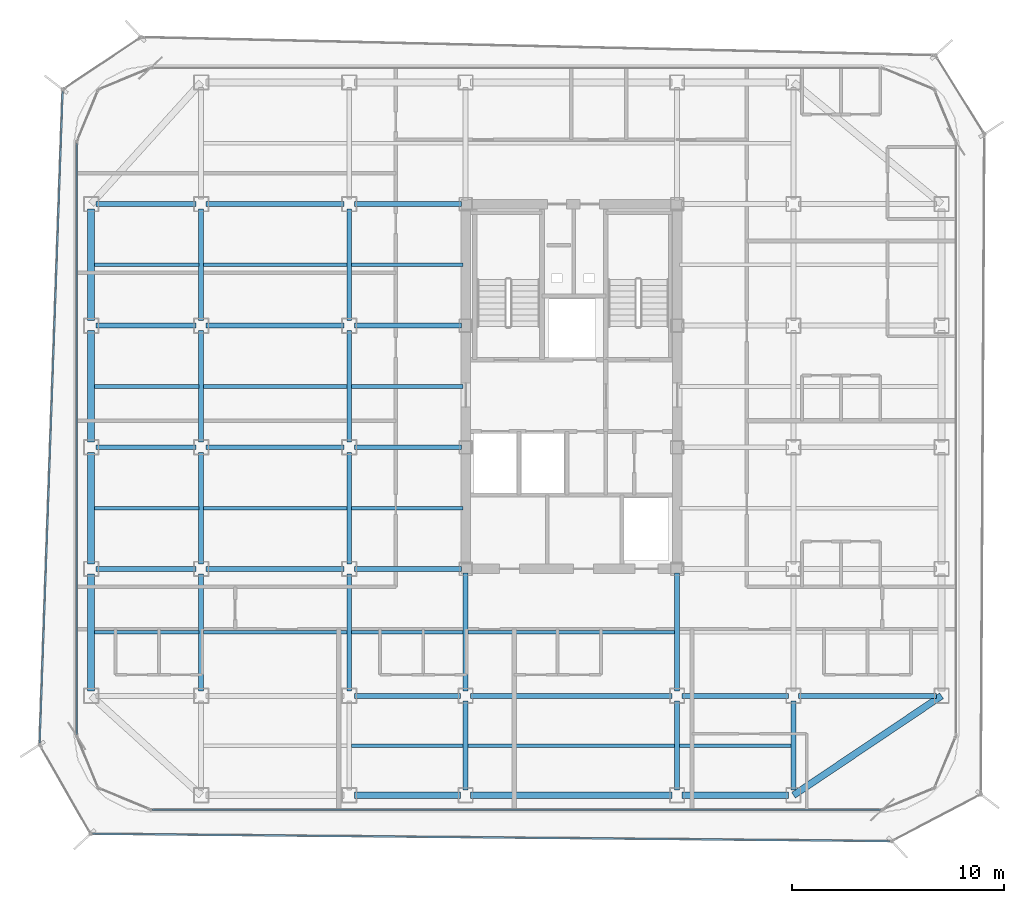
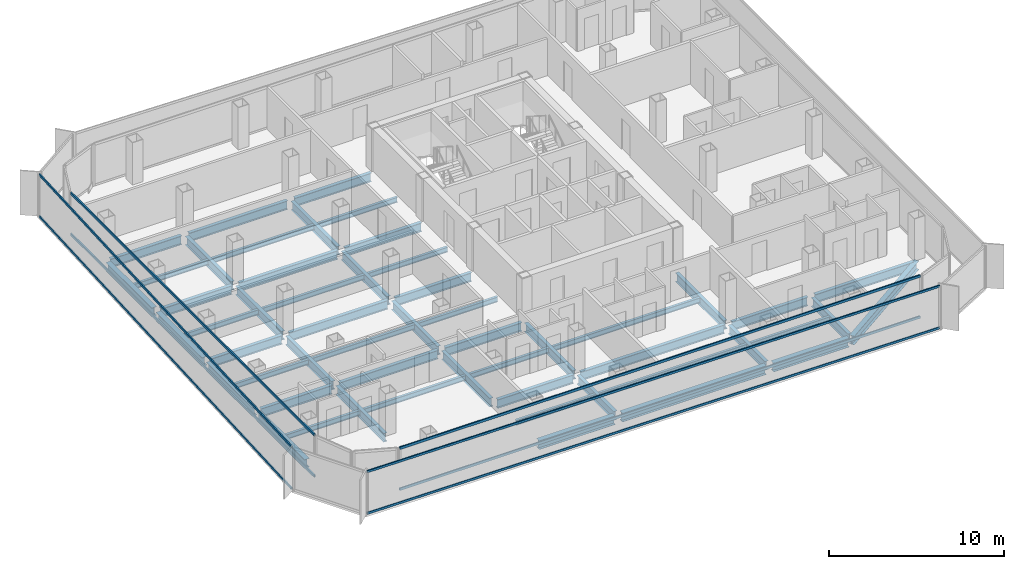
# One storey, part 3 of 16: 53 beams, 8 members, 4 elements without a shape of their own.
"""IFC4 building model written with IfcOpenShell, lengths in metres."""

from ifc_helpers import new_model, si_unit, direction, frame, origin, origin_2d, place, context, subcontext, project, spatial, hollow_rectangle, i_section, extrude, source, transform, mapped, material, layer, layer_set, material_profile, profile_set, type_object, element, aggregate, save


model = new_model("IFC4")

# Units and contexts
model_context = context("Model", 3, precision=1e-05, world=origin(), true_north=direction((0.0, 1.0)))
body_context = subcontext(model_context, "Body", "Model", "MODEL_VIEW")
ifc_project = project(units=[si_unit("LENGTHUNIT", "METRE"), si_unit("AREAUNIT", "SQUARE_METRE"), si_unit("VOLUMEUNIT", "CUBIC_METRE"), si_unit("PLANEANGLEUNIT", "RADIAN"), si_unit("MASSUNIT", "GRAM", prefix="KILO")], contexts=[model_context])

# Site, building, storey
site_placement = place(None, origin())
site = spatial("IfcSite", under=ifc_project, at=site_placement, CompositionType="ELEMENT")
building_placement = place(site_placement, origin())
building = spatial("IfcBuilding", under=site, at=building_placement, Name="Kolveth Station Tower", CompositionType="ELEMENT")
storey_placement = place(building_placement, frame((0.0, 0.0, 162.5)))
storey = spatial("IfcBuildingStorey", under=building, at=storey_placement, Name="L45", CompositionType="ELEMENT", Elevation=162.5)

# Beams
ifc_material_1 = material(Name="Steel S355", Category="steel")
ifc_material_profile_1 = material_profile(ifc_material_1, i_section(OverallWidth=0.323974609375, OverallDepth=0.611083984375, WebThickness=0.0126953125, FlangeThickness=0.01904296875, at=origin_2d()), Name="W610x155")
ifc_profile_set_1 = profile_set([ifc_material_profile_1], Name="Steel S355")
beam_type_1 = type_object("IfcBeamType", Name="Beam_SP2", PredefinedType="SPANDREL", material=ifc_profile_set_1)
shared_shape_1 = source(origin(), body_context, "Body", "SweptSolid", [
    extrude(i_section(OverallWidth=0.323974609375, OverallDepth=0.611083984375, WebThickness=0.0126953125, FlangeThickness=0.01904296875, at=origin_2d()), origin(), (0.0, 0.0, 1.0), 5.02001953125),
])
for number, where, z_axis, x_axis, name in (
    (1, (13.239990234375, 0.800048828125, -0.555419921875), (1.0, 0.0, 0.0), (0.0, 1.0, 0.0), "L45 Perimeter Spandrel BM-L45-PS-2"),
    (2, (28.739990234375, 0.800048828125, -0.555419921875), (1.0, 0.0, 0.0), (0.0, 1.0, 0.0), "L45 Perimeter Spandrel BM-L45-PS-4"),
):
    element("IfcBeam", number, at=place(storey_placement, frame(where, z_axis=z_axis, x_axis=x_axis)), inside=storey, type_object=beam_type_1, Name=name, PredefinedType="SPANDREL", context=body_context, shape_type="MappedRepresentation", body=[
        mapped(shared_shape_1, transform((0.0, 0.0, 0.0), x_axis=(1.0, 0.0, 0.0), y_axis=(0.0, 1.0, 0.0), z_axis=(0.0, 0.0, 1.0), scale=1.0)),
    ])
shared_shape_2 = source(origin(), body_context, "Body", "SweptSolid", [
    extrude(i_section(OverallWidth=0.323974609375, OverallDepth=0.611083984375, WebThickness=0.0126953125, FlangeThickness=0.01904296875, at=origin_2d()), origin(), (0.0, 0.0, 1.0), 9.52001953125),
])
beam_1_placement = place(storey_placement, frame((18.739990234375, 0.800048828125, -0.555419921875), z_axis=(1.0, 0.0, 0.0), x_axis=(0.0, 1.0, 0.0)))
element("IfcBeam", 3, at=beam_1_placement, inside=storey, type_object=beam_type_1, Name="L45 Perimeter Spandrel BM-L45-PS-3", PredefinedType="SPANDREL", context=body_context, shape_type="MappedRepresentation", body=[
    mapped(shared_shape_2, transform((0.0, 0.0, 0.0), x_axis=(1.0, 0.0, 0.0), y_axis=(0.0, 1.0, 0.0), z_axis=(0.0, 0.0, 1.0), scale=1.0)),
])
shared_shape_3 = source(origin(), body_context, "Body", "SweptSolid", [
    extrude(i_section(OverallWidth=0.323974609375, OverallDepth=0.611083984375, WebThickness=0.0126953125, FlangeThickness=0.01904296875, at=origin_2d()), origin(), (0.0, 0.0, 1.0), 5.52001953125),
])
beam_2_placement = place(storey_placement, frame((0.800048828125, 5.739990234375, -0.555419921875), z_axis=(0.0, 1.0, 0.0), x_axis=(-1.0, 0.0, 0.0)))
element("IfcBeam", 4, at=beam_2_placement, inside=storey, type_object=beam_type_1, Name="L45 Perimeter Spandrel BM-L45-PW-1", PredefinedType="SPANDREL", context=body_context, shape_type="MappedRepresentation", body=[
    mapped(shared_shape_3, transform((0.0, 0.0, 0.0), x_axis=(1.0, 0.0, 0.0), y_axis=(0.0, 1.0, 0.0), z_axis=(0.0, 0.0, 1.0), scale=1.0)),
])
shared_shape_4 = source(origin(), body_context, "Body", "SweptSolid", [
    extrude(i_section(OverallWidth=0.323974609375, OverallDepth=0.611083984375, WebThickness=0.0126953125, FlangeThickness=0.01904296875, at=origin_2d()), origin(), (0.0, 0.0, 1.0), 5.27001953125),
])
for number, where, z_axis, x_axis, name in (
    (5, (0.800048828125, 11.739990234375, -0.555419921875), (0.0, 1.0, 0.0), (-1.0, 0.0, 0.0), "L45 Perimeter Spandrel BM-L45-PW-2"),
    (6, (0.800048828125, 17.489990234375, -0.555419921875), (0.0, 1.0, 0.0), (-1.0, 0.0, 0.0), "L45 Perimeter Spandrel BM-L45-PW-3"),
    (7, (0.800048828125, 23.239990234375, -0.555419921875), (0.0, 1.0, 0.0), (-1.0, 0.0, 0.0), "L45 Perimeter Spandrel BM-L45-PW-4"),
):
    element("IfcBeam", number, at=place(storey_placement, frame(where, z_axis=z_axis, x_axis=x_axis)), inside=storey, type_object=beam_type_1, Name=name, PredefinedType="SPANDREL", context=body_context, shape_type="MappedRepresentation", body=[
        mapped(shared_shape_4, transform((0.0, 0.0, 0.0), x_axis=(1.0, 0.0, 0.0), y_axis=(0.0, 1.0, 0.0), z_axis=(0.0, 0.0, 1.0), scale=1.0)),
    ])
shared_shape_5 = source(origin(), body_context, "Body", "SweptSolid", [
    extrude(i_section(OverallWidth=0.323974609375, OverallDepth=0.611083984375, WebThickness=0.0126953125, FlangeThickness=0.01904296875, at=origin_2d()), origin(), (0.0, 0.0, 1.0), 8.431396484375),
])
beam_3_placement = place(storey_placement, frame((34.0, 0.800048828125, -0.555419921875), z_axis=(0.830223811004, 0.557430196206, 0.0), x_axis=(-0.557430196206, 0.830223811004, 0.0)))
element("IfcBeam", 8, at=beam_3_placement, inside=storey, type_object=beam_type_1, Name="L45 Corner Edge Girder BM-L45-CNR-SE", PredefinedType="SPANDREL", context=body_context, shape_type="MappedRepresentation", body=[
    mapped(shared_shape_5, transform((0.0, 0.0, 0.0), x_axis=(1.0, 0.0, 0.0), y_axis=(0.0, 1.0, 0.0), z_axis=(0.0, 0.0, 1.0), scale=1.0)),
])
ifc_material_profile_2 = material_profile(ifc_material_1, i_section(OverallWidth=0.22900390625, OverallDepth=0.612060546875, WebThickness=0.011962890625, FlangeThickness=0.01953125, at=origin_2d()), Name="W610x125")
ifc_profile_set_2 = profile_set([ifc_material_profile_2], Name="Steel S355")
beam_type_2 = type_object("IfcBeamType", Name="Beam_B5", PredefinedType="BEAM", material=ifc_profile_set_2)
shared_shape_6 = source(origin(), body_context, "Body", "SweptSolid", [
    extrude(i_section(OverallWidth=0.22900390625, OverallDepth=0.612060546875, WebThickness=0.011962890625, FlangeThickness=0.01953125, at=origin_2d()), origin(), (0.0, 0.0, 1.0), 4.719970703125),
])
for number, where, z_axis, x_axis, name in (
    (9, (1.0400390625, 11.5, -0.555908203125), (1.0, 0.0, 0.0), (0.0, 1.0, 0.0), "L45 Primary Girder BM-L45-GY115-1"),
    (10, (1.0400390625, 17.25, -0.555908203125), (1.0, 0.0, 0.0), (0.0, 1.0, 0.0), "L45 Primary Girder BM-L45-GY172-1"),
    (11, (1.0400390625, 23.0, -0.555908203125), (1.0, 0.0, 0.0), (0.0, 1.0, 0.0), "L45 Primary Girder BM-L45-GY230-1"),
    (12, (1.0400390625, 28.75, -0.555908203125), (1.0, 0.0, 0.0), (0.0, 1.0, 0.0), "L45 Primary Girder BM-L45-GY287-1"),
):
    element("IfcBeam", number, at=place(storey_placement, frame(where, z_axis=z_axis, x_axis=x_axis)), inside=storey, type_object=beam_type_2, Name=name, PredefinedType="BEAM", context=body_context, shape_type="MappedRepresentation", body=[
        mapped(shared_shape_6, transform((0.0, 0.0, 0.0), x_axis=(1.0, 0.0, 0.0), y_axis=(0.0, 1.0, 0.0), z_axis=(0.0, 0.0, 1.0), scale=1.0)),
    ])
shared_shape_7 = source(origin(), body_context, "Body", "SweptSolid", [
    extrude(i_section(OverallWidth=0.22900390625, OverallDepth=0.612060546875, WebThickness=0.011962890625, FlangeThickness=0.01953125, at=origin_2d()), origin(), (0.0, 0.0, 1.0), 6.52001953125),
])
for number, where, z_axis, x_axis, name in (
    (13, (34.239990234375, 5.5, -0.555908203125), (1.0, 0.0, 0.0), (0.0, 1.0, 0.0), "L45 Primary Girder BM-L45-GY55-6"),
    (14, (6.239990234375, 11.5, -0.555908203125), (1.0, 0.0, 0.0), (0.0, 1.0, 0.0), "L45 Primary Girder BM-L45-GY115-2"),
    (15, (6.239990234375, 17.25, -0.555908203125), (1.0, 0.0, 0.0), (0.0, 1.0, 0.0), "L45 Primary Girder BM-L45-GY172-2"),
    (16, (6.239990234375, 23.0, -0.555908203125), (1.0, 0.0, 0.0), (0.0, 1.0, 0.0), "L45 Primary Girder BM-L45-GY230-2"),
    (17, (6.239990234375, 28.75, -0.555908203125), (1.0, 0.0, 0.0), (0.0, 1.0, 0.0), "L45 Primary Girder BM-L45-GY287-2"),
):
    element("IfcBeam", number, at=place(storey_placement, frame(where, z_axis=z_axis, x_axis=x_axis)), inside=storey, type_object=beam_type_2, Name=name, PredefinedType="BEAM", context=body_context, shape_type="MappedRepresentation", body=[
        mapped(shared_shape_7, transform((0.0, 0.0, 0.0), x_axis=(1.0, 0.0, 0.0), y_axis=(0.0, 1.0, 0.0), z_axis=(0.0, 0.0, 1.0), scale=1.0)),
    ])
shared_shape_8 = source(origin(), body_context, "Body", "SweptSolid", [
    extrude(i_section(OverallWidth=0.22900390625, OverallDepth=0.612060546875, WebThickness=0.011962890625, FlangeThickness=0.01953125, at=origin_2d()), origin(), (0.0, 0.0, 1.0), 5.02001953125),
])
for number, where, z_axis, x_axis, name in (
    (18, (13.239990234375, 5.5, -0.555908203125), (1.0, 0.0, 0.0), (0.0, 1.0, 0.0), "L45 Primary Girder BM-L45-GY55-3"),
    (19, (28.739990234375, 5.5, -0.555908203125), (1.0, 0.0, 0.0), (0.0, 1.0, 0.0), "L45 Primary Girder BM-L45-GY55-5"),
):
    element("IfcBeam", number, at=place(storey_placement, frame(where, z_axis=z_axis, x_axis=x_axis)), inside=storey, type_object=beam_type_2, Name=name, PredefinedType="BEAM", context=body_context, shape_type="MappedRepresentation", body=[
        mapped(shared_shape_8, transform((0.0, 0.0, 0.0), x_axis=(1.0, 0.0, 0.0), y_axis=(0.0, 1.0, 0.0), z_axis=(0.0, 0.0, 1.0), scale=1.0)),
    ])
shared_shape_9 = source(origin(), body_context, "Body", "SweptSolid", [
    extrude(i_section(OverallWidth=0.22900390625, OverallDepth=0.612060546875, WebThickness=0.011962890625, FlangeThickness=0.01953125, at=origin_2d()), origin(), (0.0, 0.0, 1.0), 9.52001953125),
])
beam_4_placement = place(storey_placement, frame((18.739990234375, 5.5, -0.555908203125), z_axis=(1.0, 0.0, 0.0), x_axis=(0.0, 1.0, 0.0)))
element("IfcBeam", 20, at=beam_4_placement, inside=storey, type_object=beam_type_2, Name="L45 Primary Girder BM-L45-GY55-4", PredefinedType="BEAM", context=body_context, shape_type="MappedRepresentation", body=[
    mapped(shared_shape_9, transform((0.0, 0.0, 0.0), x_axis=(1.0, 0.0, 0.0), y_axis=(0.0, 1.0, 0.0), z_axis=(0.0, 0.0, 1.0), scale=1.0)),
])
shared_shape_10 = source(origin(), body_context, "Body", "SweptSolid", [
    extrude(i_section(OverallWidth=0.22900390625, OverallDepth=0.612060546875, WebThickness=0.011962890625, FlangeThickness=0.01953125, at=origin_2d()), origin(), (0.0, 0.0, 1.0), 5.06005859375),
])
for number, where, z_axis, x_axis, name in (
    (21, (13.239990234375, 11.5, -0.555908203125), (1.0, 0.0, 0.0), (0.0, 1.0, 0.0), "L45 Primary Girder BM-L45-GY115-3"),
    (22, (13.239990234375, 17.25, -0.555908203125), (1.0, 0.0, 0.0), (0.0, 1.0, 0.0), "L45 Primary Girder BM-L45-GY172-3"),
    (23, (13.239990234375, 23.0, -0.555908203125), (1.0, 0.0, 0.0), (0.0, 1.0, 0.0), "L45 Primary Girder BM-L45-GY230-3"),
    (24, (13.239990234375, 28.75, -0.555908203125), (1.0, 0.0, 0.0), (0.0, 1.0, 0.0), "L45 Primary Girder BM-L45-GY287-3"),
):
    element("IfcBeam", number, at=place(storey_placement, frame(where, z_axis=z_axis, x_axis=x_axis)), inside=storey, type_object=beam_type_2, Name=name, PredefinedType="BEAM", context=body_context, shape_type="MappedRepresentation", body=[
        mapped(shared_shape_10, transform((0.0, 0.0, 0.0), x_axis=(1.0, 0.0, 0.0), y_axis=(0.0, 1.0, 0.0), z_axis=(0.0, 0.0, 1.0), scale=1.0)),
    ])
shared_shape_11 = source(origin(), body_context, "Body", "SweptSolid", [
    extrude(i_section(OverallWidth=0.22900390625, OverallDepth=0.612060546875, WebThickness=0.011962890625, FlangeThickness=0.01953125, at=origin_2d()), origin(), (0.0, 0.0, 1.0), 4.219970703125),
])
for number, where, z_axis, x_axis, name in (
    (25, (18.5, 1.0400390625, -0.555908203125), (0.0, 1.0, 0.0), (-1.0, 0.0, 0.0), "L45 Primary Girder BM-L45-GX185-1"),
    (26, (28.5, 1.0400390625, -0.555908203125), (0.0, 1.0, 0.0), (-1.0, 0.0, 0.0), "L45 Primary Girder BM-L45-GX285-1"),
    (27, (34.0, 1.0400390625, -0.555908203125), (0.0, 1.0, 0.0), (-1.0, 0.0, 0.0), "L45 Primary Girder BM-L45-GX340-1"),
):
    element("IfcBeam", number, at=place(storey_placement, frame(where, z_axis=z_axis, x_axis=x_axis)), inside=storey, type_object=beam_type_2, Name=name, PredefinedType="BEAM", context=body_context, shape_type="MappedRepresentation", body=[
        mapped(shared_shape_11, transform((0.0, 0.0, 0.0), x_axis=(1.0, 0.0, 0.0), y_axis=(0.0, 1.0, 0.0), z_axis=(0.0, 0.0, 1.0), scale=1.0)),
    ])
shared_shape_12 = source(origin(), body_context, "Body", "SweptSolid", [
    extrude(i_section(OverallWidth=0.22900390625, OverallDepth=0.612060546875, WebThickness=0.011962890625, FlangeThickness=0.01953125, at=origin_2d()), origin(), (0.0, 0.0, 1.0), 5.52001953125),
])
for number, where, z_axis, x_axis, name in (
    (28, (6.0, 5.739990234375, -0.555908203125), (0.0, 1.0, 0.0), (-1.0, 0.0, 0.0), "L45 Primary Girder BM-L45-GX60-2"),
    (29, (13.0, 5.739990234375, -0.555908203125), (0.0, 1.0, 0.0), (-1.0, 0.0, 0.0), "L45 Primary Girder BM-L45-GX130-2"),
):
    element("IfcBeam", number, at=place(storey_placement, frame(where, z_axis=z_axis, x_axis=x_axis)), inside=storey, type_object=beam_type_2, Name=name, PredefinedType="BEAM", context=body_context, shape_type="MappedRepresentation", body=[
        mapped(shared_shape_12, transform((0.0, 0.0, 0.0), x_axis=(1.0, 0.0, 0.0), y_axis=(0.0, 1.0, 0.0), z_axis=(0.0, 0.0, 1.0), scale=1.0)),
    ])
shared_shape_13 = source(origin(), body_context, "Body", "SweptSolid", [
    extrude(i_section(OverallWidth=0.22900390625, OverallDepth=0.612060546875, WebThickness=0.011962890625, FlangeThickness=0.01953125, at=origin_2d()), origin(), (0.0, 0.0, 1.0), 5.27001953125),
])
for number, where, z_axis, x_axis, name in (
    (30, (6.0, 11.739990234375, -0.555908203125), (0.0, 1.0, 0.0), (-1.0, 0.0, 0.0), "L45 Primary Girder BM-L45-GX60-3"),
    (31, (6.0, 17.489990234375, -0.555908203125), (0.0, 1.0, 0.0), (-1.0, 0.0, 0.0), "L45 Primary Girder BM-L45-GX60-4"),
    (32, (6.0, 23.239990234375, -0.555908203125), (0.0, 1.0, 0.0), (-1.0, 0.0, 0.0), "L45 Primary Girder BM-L45-GX60-5"),
    (33, (13.0, 11.739990234375, -0.555908203125), (0.0, 1.0, 0.0), (-1.0, 0.0, 0.0), "L45 Primary Girder BM-L45-GX130-3"),
    (34, (13.0, 17.489990234375, -0.555908203125), (0.0, 1.0, 0.0), (-1.0, 0.0, 0.0), "L45 Primary Girder BM-L45-GX130-4"),
    (35, (13.0, 23.239990234375, -0.555908203125), (0.0, 1.0, 0.0), (-1.0, 0.0, 0.0), "L45 Primary Girder BM-L45-GX130-5"),
):
    element("IfcBeam", number, at=place(storey_placement, frame(where, z_axis=z_axis, x_axis=x_axis)), inside=storey, type_object=beam_type_2, Name=name, PredefinedType="BEAM", context=body_context, shape_type="MappedRepresentation", body=[
        mapped(shared_shape_13, transform((0.0, 0.0, 0.0), x_axis=(1.0, 0.0, 0.0), y_axis=(0.0, 1.0, 0.0), z_axis=(0.0, 0.0, 1.0), scale=1.0)),
    ])
shared_shape_14 = source(origin(), body_context, "Body", "SweptSolid", [
    extrude(i_section(OverallWidth=0.22900390625, OverallDepth=0.612060546875, WebThickness=0.011962890625, FlangeThickness=0.01953125, at=origin_2d()), origin(), (0.0, 0.0, 1.0), 5.56005859375),
])
for number, where, z_axis, x_axis, name in (
    (36, (18.5, 5.739990234375, -0.555908203125), (0.0, 1.0, 0.0), (-1.0, 0.0, 0.0), "L45 Primary Girder BM-L45-GX185-2"),
    (37, (28.5, 5.739990234375, -0.555908203125), (0.0, 1.0, 0.0), (-1.0, 0.0, 0.0), "L45 Primary Girder BM-L45-GX285-2"),
):
    element("IfcBeam", number, at=place(storey_placement, frame(where, z_axis=z_axis, x_axis=x_axis)), inside=storey, type_object=beam_type_2, Name=name, PredefinedType="BEAM", context=body_context, shape_type="MappedRepresentation", body=[
        mapped(shared_shape_14, transform((0.0, 0.0, 0.0), x_axis=(1.0, 0.0, 0.0), y_axis=(0.0, 1.0, 0.0), z_axis=(0.0, 0.0, 1.0), scale=1.0)),
    ])
ifc_material_profile_3 = material_profile(ifc_material_1, i_section(OverallWidth=0.1708984375, OverallDepth=0.35205078125, WebThickness=0.0068359375, FlangeThickness=0.009765625, at=origin_2d()), Name="W360x44")
ifc_profile_set_3 = profile_set([ifc_material_profile_3], Name="Steel S355")
beam_type_3 = type_object("IfcBeamType", Name="Beam_J2", PredefinedType="JOIST", material=ifc_profile_set_3)
shared_shape_15 = source(origin(), body_context, "Body", "SweptSolid", [
    extrude(i_section(OverallWidth=0.1708984375, OverallDepth=0.35205078125, WebThickness=0.0068359375, FlangeThickness=0.009765625, at=origin_2d()), origin(), (0.0, 0.0, 1.0), 4.927490234375),
])
for number, where, z_axis, x_axis, name in (
    (38, (0.9599609375, 8.5, -0.426025390625), (1.0, 0.0, 0.0), (0.0, 1.0, 0.0), "L45 Secondary Joist JST-L45-1-2"),
    (39, (0.9599609375, 14.375, -0.426025390625), (1.0, 0.0, 0.0), (0.0, 1.0, 0.0), "L45 Secondary Joist JST-L45-1-3"),
    (40, (0.9599609375, 20.125, -0.426025390625), (1.0, 0.0, 0.0), (0.0, 1.0, 0.0), "L45 Secondary Joist JST-L45-1-4"),
    (41, (0.9599609375, 25.875, -0.426025390625), (1.0, 0.0, 0.0), (0.0, 1.0, 0.0), "L45 Secondary Joist JST-L45-1-5"),
):
    element("IfcBeam", number, at=place(storey_placement, frame(where, z_axis=z_axis, x_axis=x_axis)), inside=storey, type_object=beam_type_3, Name=name, PredefinedType="JOIST", context=body_context, shape_type="MappedRepresentation", body=[
        mapped(shared_shape_15, transform((0.0, 0.0, 0.0), x_axis=(1.0, 0.0, 0.0), y_axis=(0.0, 1.0, 0.0), z_axis=(0.0, 0.0, 1.0), scale=1.0)),
    ])
shared_shape_16 = source(origin(), body_context, "Body", "SweptSolid", [
    extrude(i_section(OverallWidth=0.1708984375, OverallDepth=0.35205078125, WebThickness=0.0068359375, FlangeThickness=0.009765625, at=origin_2d()), origin(), (0.0, 0.0, 1.0), 6.77490234375),
])
for number, where, z_axis, x_axis, name in (
    (42, (6.112548828125, 8.5, -0.426025390625), (1.0, 0.0, 0.0), (0.0, 1.0, 0.0), "L45 Secondary Joist JST-L45-2-2"),
    (43, (6.112548828125, 14.375, -0.426025390625), (1.0, 0.0, 0.0), (0.0, 1.0, 0.0), "L45 Secondary Joist JST-L45-2-3"),
    (44, (6.112548828125, 20.125, -0.426025390625), (1.0, 0.0, 0.0), (0.0, 1.0, 0.0), "L45 Secondary Joist JST-L45-2-4"),
    (45, (6.112548828125, 25.875, -0.426025390625), (1.0, 0.0, 0.0), (0.0, 1.0, 0.0), "L45 Secondary Joist JST-L45-2-5"),
):
    element("IfcBeam", number, at=place(storey_placement, frame(where, z_axis=z_axis, x_axis=x_axis)), inside=storey, type_object=beam_type_3, Name=name, PredefinedType="JOIST", context=body_context, shape_type="MappedRepresentation", body=[
        mapped(shared_shape_16, transform((0.0, 0.0, 0.0), x_axis=(1.0, 0.0, 0.0), y_axis=(0.0, 1.0, 0.0), z_axis=(0.0, 0.0, 1.0), scale=1.0)),
    ])
shared_shape_17 = source(origin(), body_context, "Body", "SweptSolid", [
    extrude(i_section(OverallWidth=0.1708984375, OverallDepth=0.35205078125, WebThickness=0.0068359375, FlangeThickness=0.009765625, at=origin_2d()), origin(), (0.0, 0.0, 1.0), 5.27490234375),
])
for number, where, z_axis, x_axis, name in (
    (46, (13.112548828125, 3.14990234375, -0.426025390625), (1.0, 0.0, 0.0), (0.0, 1.0, 0.0), "L45 Secondary Joist JST-L45-3-1"),
    (47, (13.112548828125, 8.5, -0.426025390625), (1.0, 0.0, 0.0), (0.0, 1.0, 0.0), "L45 Secondary Joist JST-L45-3-2"),
    (48, (13.112548828125, 14.375, -0.426025390625), (1.0, 0.0, 0.0), (0.0, 1.0, 0.0), "L45 Secondary Joist JST-L45-3-3"),
    (49, (13.112548828125, 20.125, -0.426025390625), (1.0, 0.0, 0.0), (0.0, 1.0, 0.0), "L45 Secondary Joist JST-L45-3-4"),
    (50, (13.112548828125, 25.875, -0.426025390625), (1.0, 0.0, 0.0), (0.0, 1.0, 0.0), "L45 Secondary Joist JST-L45-3-5"),
    (51, (28.612548828125, 3.14990234375, -0.426025390625), (1.0, 0.0, 0.0), (0.0, 1.0, 0.0), "L45 Secondary Joist JST-L45-5-1"),
):
    element("IfcBeam", number, at=place(storey_placement, frame(where, z_axis=z_axis, x_axis=x_axis)), inside=storey, type_object=beam_type_3, Name=name, PredefinedType="JOIST", context=body_context, shape_type="MappedRepresentation", body=[
        mapped(shared_shape_17, transform((0.0, 0.0, 0.0), x_axis=(1.0, 0.0, 0.0), y_axis=(0.0, 1.0, 0.0), z_axis=(0.0, 0.0, 1.0), scale=1.0)),
    ])
shared_shape_18 = source(origin(), body_context, "Body", "SweptSolid", [
    extrude(i_section(OverallWidth=0.1708984375, OverallDepth=0.35205078125, WebThickness=0.0068359375, FlangeThickness=0.009765625, at=origin_2d()), origin(), (0.0, 0.0, 1.0), 9.77490234375),
])
for number, where, z_axis, x_axis, name in (
    (52, (18.612548828125, 3.14990234375, -0.426025390625), (1.0, 0.0, 0.0), (0.0, 1.0, 0.0), "L45 Secondary Joist JST-L45-4-1"),
    (53, (18.612548828125, 8.5, -0.426025390625), (1.0, 0.0, 0.0), (0.0, 1.0, 0.0), "L45 Secondary Joist JST-L45-4-2"),
):
    element("IfcBeam", number, at=place(storey_placement, frame(where, z_axis=z_axis, x_axis=x_axis)), inside=storey, type_object=beam_type_3, Name=name, PredefinedType="JOIST", context=body_context, shape_type="MappedRepresentation", body=[
        mapped(shared_shape_18, transform((0.0, 0.0, 0.0), x_axis=(1.0, 0.0, 0.0), y_axis=(0.0, 1.0, 0.0), z_axis=(0.0, 0.0, 1.0), scale=1.0)),
    ])

# Curtain wall, members
ifc_material_2 = material(Name="Aluminium 6063-T6 and low-E dark glass", Category="aluminium")
ifc_layer_1 = layer(ifc_material_2, 0.18994140625)
ifc_layer_set_1 = layer_set([ifc_layer_1], Name="Aluminium 6063-T6 and low-E dark glass")
curtain_wall_type_1 = type_object("IfcCurtainWallType", Name="CurtainWall_CW-Z2", PredefinedType="NOTDEFINED", material=ifc_layer_set_1)
curtain_wall_1_placement = place(storey_placement, origin())
curtain_wall_1 = element("IfcCurtainWall", 54, at=curtain_wall_1_placement, inside=storey, type_object=curtain_wall_type_1, Name="L45 Inner Thermal Curtain Wall 9", PredefinedType="NOTDEFINED")
ifc_material_3 = material(Name="Black anodized aluminium 6063-T6", Category="aluminium")
ifc_material_profile_4 = material_profile(ifc_material_3, hollow_rectangle(XDim=0.080078125, YDim=0.169921875, WallThickness=0.0048828125, at=origin_2d()), Name="ALU-80x170x5")
ifc_profile_set_4 = profile_set([ifc_material_profile_4], Name="Black anodized aluminium 6063-T6")
member_type_1 = type_object("IfcMemberType", Name="Transom_TR2", PredefinedType="USERDEFINED", material=ifc_profile_set_4)
shared_shape_19 = source(origin(), body_context, "Body", "SweptSolid", [
    extrude(hollow_rectangle(XDim=0.080078125, YDim=0.169921875, WallThickness=0.0048828125, at=origin_2d()), origin(), (0.0, 0.0, 1.0), 27.940185546875),
])
member_1_placement = place(storey_placement, frame((0.1201171875, 31.6201171875, 0.0400390625), z_axis=(0.0, -1.0, 0.0), x_axis=(1.0, 0.0, 0.0)))
member_1 = element("IfcMember", 55, at=member_1_placement, type_object=member_type_1, Name="CW-Z2 transom 1.1", ObjectType="TRANSOM", PredefinedType="USERDEFINED", context=body_context, shape_type="MappedRepresentation", body=[
    mapped(shared_shape_19, transform((0.0, 0.0, 0.0), x_axis=(1.0, 0.0, 0.0), y_axis=(0.0, 1.0, 0.0), z_axis=(0.0, 0.0, 1.0), scale=1.0)),
])
member_2_placement = place(storey_placement, frame((0.1201171875, 31.6201171875, 2.909912109375), z_axis=(0.0, -1.0, 0.0), x_axis=(1.0, 0.0, 0.0)))
member_2 = element("IfcMember", 56, at=member_2_placement, type_object=member_type_1, Name="CW-Z2 transom 1.2", ObjectType="TRANSOM", PredefinedType="USERDEFINED", context=body_context, shape_type="MappedRepresentation", body=[
    mapped(shared_shape_19, transform((0.0, 0.0, 0.0), x_axis=(1.0, 0.0, 0.0), y_axis=(0.0, 1.0, 0.0), z_axis=(0.0, 0.0, 1.0), scale=1.0)),
])
aggregate(curtain_wall_1, [member_1, member_2])

curtain_wall_2_placement = place(storey_placement, origin())
curtain_wall_2 = element("IfcCurtainWall", 57, at=curtain_wall_2_placement, inside=storey, type_object=curtain_wall_type_1, Name="L45 Inner Thermal Curtain Wall 12", PredefinedType="NOTDEFINED")
shared_shape_20 = source(origin(), body_context, "Body", "SweptSolid", [
    extrude(hollow_rectangle(XDim=0.080078125, YDim=0.169921875, WallThickness=0.0048828125, at=origin_2d()), origin(), (0.0, 0.0, 1.0), 34.440185546875),
])
member_3_placement = place(storey_placement, frame((3.679931640625, 0.1201171875, 0.0400390625), z_axis=(1.0, 0.0, 0.0), x_axis=(0.0, 1.0, 0.0)))
member_3 = element("IfcMember", 58, at=member_3_placement, type_object=member_type_1, Name="CW-Z2 transom 1.1", ObjectType="TRANSOM", PredefinedType="USERDEFINED", context=body_context, shape_type="MappedRepresentation", body=[
    mapped(shared_shape_20, transform((0.0, 0.0, 0.0), x_axis=(1.0, 0.0, 0.0), y_axis=(0.0, 1.0, 0.0), z_axis=(0.0, 0.0, 1.0), scale=1.0)),
])
member_4_placement = place(storey_placement, frame((3.679931640625, 0.1201171875, 2.909912109375), z_axis=(1.0, 0.0, 0.0), x_axis=(0.0, 1.0, 0.0)))
member_4 = element("IfcMember", 59, at=member_4_placement, type_object=member_type_1, Name="CW-Z2 transom 1.2", ObjectType="TRANSOM", PredefinedType="USERDEFINED", context=body_context, shape_type="MappedRepresentation", body=[
    mapped(shared_shape_20, transform((0.0, 0.0, 0.0), x_axis=(1.0, 0.0, 0.0), y_axis=(0.0, 1.0, 0.0), z_axis=(0.0, 0.0, 1.0), scale=1.0)),
])
aggregate(curtain_wall_2, [member_3, member_4])

ifc_material_4 = material(Name="Black anodized aluminium 6063-T6 and dark solar glass", Category="aluminium")
ifc_layer_2 = layer(ifc_material_4, 0.159912109375)
ifc_layer_set_2 = layer_set([ifc_layer_2], Name="Black anodized aluminium 6063-T6 and dark solar glass")
curtain_wall_type_2 = type_object("IfcCurtainWallType", Name="OUTER SKIN CW-OS", PredefinedType="NOTDEFINED", material=ifc_layer_set_2)
curtain_wall_3_placement = place(storey_placement, origin())
curtain_wall_3 = element("IfcCurtainWall", 60, at=curtain_wall_3_placement, inside=storey, type_object=curtain_wall_type_2, Name="L45 Outer Ventilated Skin Curtain Wall 6", PredefinedType="NOTDEFINED")
ifc_material_profile_5 = material_profile(ifc_material_3, hollow_rectangle(XDim=0.080078125, YDim=0.14990234375, WallThickness=0.0048828125, at=origin_2d()), Name="ALU-80x150x5")
ifc_profile_set_5 = profile_set([ifc_material_profile_5], Name="Black anodized aluminium 6063-T6")
member_type_2 = type_object("IfcMemberType", Name="Transom_TR-OS", PredefinedType="USERDEFINED", material=ifc_profile_set_5)
shared_shape_21 = source(origin(), body_context, "Body", "SweptSolid", [
    extrude(hollow_rectangle(XDim=0.080078125, YDim=0.14990234375, WallThickness=0.0048828125, at=origin_2d()), origin(), (0.0, 0.0, 1.0), 30.80810546875),
])
member_5_placement = place(storey_placement, frame((-0.546142578125, 34.070556640625, 0.0400390625), z_axis=(-0.035256233208, -0.999378305758, 0.0), x_axis=(0.999378305758, -0.035256233208, 0.0)))
member_5 = element("IfcMember", 61, at=member_5_placement, type_object=member_type_2, Name="CW-OS transom 1.1", ObjectType="TRANSOM", PredefinedType="USERDEFINED", context=body_context, shape_type="MappedRepresentation", body=[
    mapped(shared_shape_21, transform((0.0, 0.0, 0.0), x_axis=(1.0, 0.0, 0.0), y_axis=(0.0, 1.0, 0.0), z_axis=(0.0, 0.0, 1.0), scale=1.0)),
])
member_6_placement = place(storey_placement, frame((-0.546142578125, 34.070556640625, 2.949951171875), z_axis=(-0.035256233208, -0.999378305758, 0.0), x_axis=(0.999378305758, -0.035256233208, 0.0)))
member_6 = element("IfcMember", 62, at=member_6_placement, type_object=member_type_2, Name="CW-OS transom 1.2", ObjectType="TRANSOM", PredefinedType="USERDEFINED", context=body_context, shape_type="MappedRepresentation", body=[
    mapped(shared_shape_21, transform((0.0, 0.0, 0.0), x_axis=(1.0, 0.0, 0.0), y_axis=(0.0, 1.0, 0.0), z_axis=(0.0, 0.0, 1.0), scale=1.0)),
])
aggregate(curtain_wall_3, [member_5, member_6])

curtain_wall_4_placement = place(storey_placement, origin())
curtain_wall_4 = element("IfcCurtainWall", 63, at=curtain_wall_4_placement, inside=storey, type_object=curtain_wall_type_2, Name="L45 Outer Ventilated Skin Curtain Wall 8", PredefinedType="NOTDEFINED")
shared_shape_22 = source(origin(), body_context, "Body", "SweptSolid", [
    extrude(hollow_rectangle(XDim=0.080078125, YDim=0.14990234375, WallThickness=0.0048828125, at=origin_2d()), origin(), (0.0, 0.0, 1.0), 37.687255859375),
])
member_7_placement = place(storey_placement, frame((0.8681640625, -1.02294921875, 0.0400390625), z_axis=(0.999958105996, -0.009153483093, 0.0), x_axis=(0.009153483093, 0.999958105996, 0.0)))
member_7 = element("IfcMember", 64, at=member_7_placement, type_object=member_type_2, Name="CW-OS transom 1.1", ObjectType="TRANSOM", PredefinedType="USERDEFINED", context=body_context, shape_type="MappedRepresentation", body=[
    mapped(shared_shape_22, transform((0.0, 0.0, 0.0), x_axis=(1.0, 0.0, 0.0), y_axis=(0.0, 1.0, 0.0), z_axis=(0.0, 0.0, 1.0), scale=1.0)),
])
member_8_placement = place(storey_placement, frame((0.8681640625, -1.02294921875, 2.949951171875), z_axis=(0.999958105996, -0.009153483093, 0.0), x_axis=(0.009153483093, 0.999958105996, 0.0)))
member_8 = element("IfcMember", 65, at=member_8_placement, type_object=member_type_2, Name="CW-OS transom 1.2", ObjectType="TRANSOM", PredefinedType="USERDEFINED", context=body_context, shape_type="MappedRepresentation", body=[
    mapped(shared_shape_22, transform((0.0, 0.0, 0.0), x_axis=(1.0, 0.0, 0.0), y_axis=(0.0, 1.0, 0.0), z_axis=(0.0, 0.0, 1.0), scale=1.0)),
])
aggregate(curtain_wall_4, [member_7, member_8])

save(model, "model.ifc")
